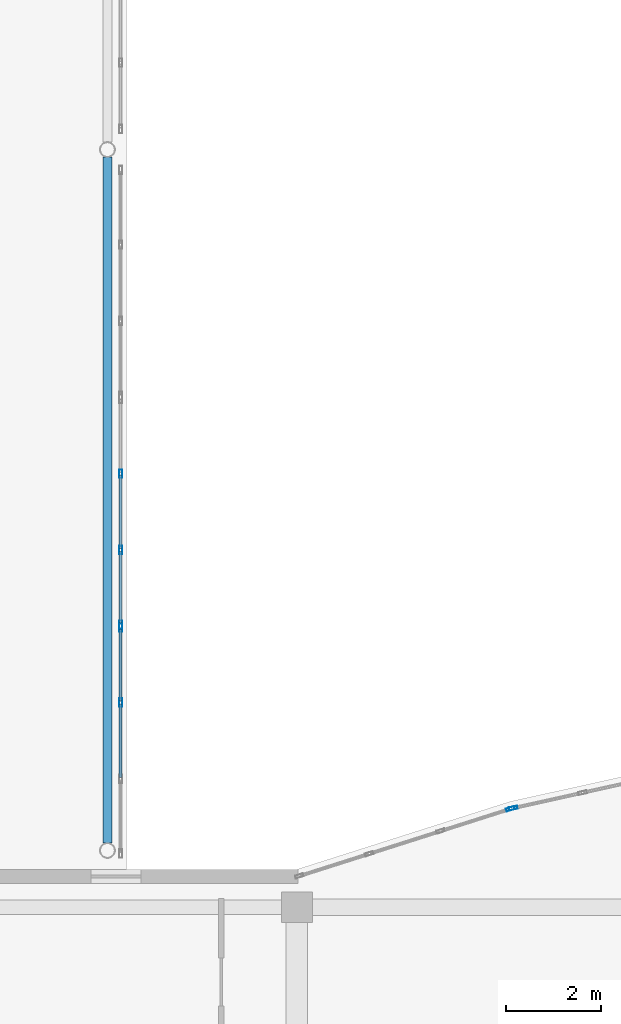
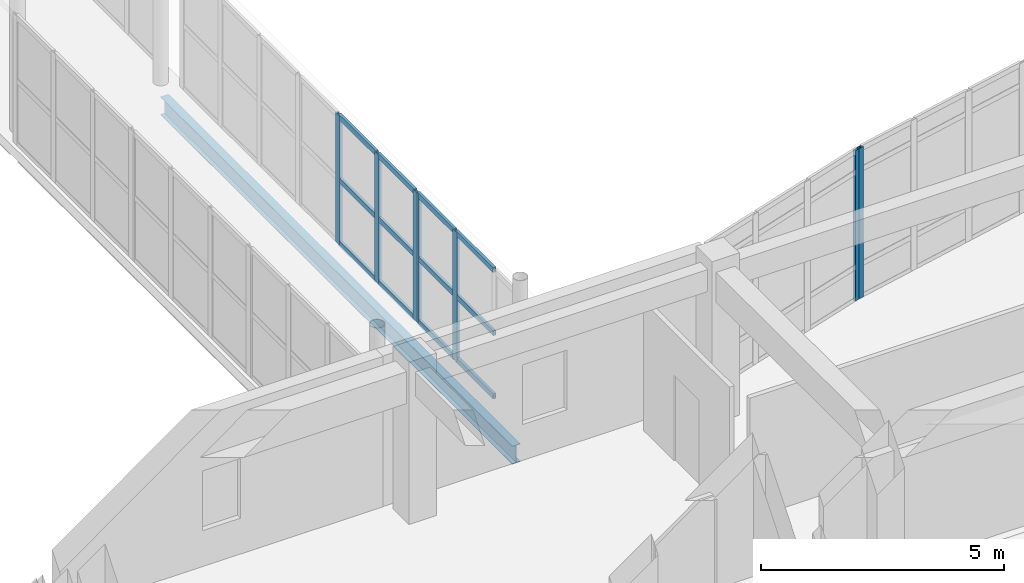
# One storey, part 53 of 146: 19 members, 1 beam, 4 elements without a shape of their own.
"""IFC4 building model written with IfcOpenShell, lengths in metres."""

from ifc_helpers import new_model, si_unit, direction, frame, origin, origin_2d, place, context, subcontext, project, spatial, hollow_rectangle, i_section, extrude, material, layer, layer_set, material_profile, profile_set, type_object, element, aggregate, save


model = new_model("IFC4")

# Units and contexts
model_context = context("Model", 3, precision=1e-05, world=origin(), true_north=direction((0.0, 1.0)))
body_context = subcontext(model_context, "Body", "Model", "MODEL_VIEW")
ifc_project = project(units=[si_unit("LENGTHUNIT", "METRE"), si_unit("AREAUNIT", "SQUARE_METRE"), si_unit("VOLUMEUNIT", "CUBIC_METRE"), si_unit("PLANEANGLEUNIT", "RADIAN"), si_unit("MASSUNIT", "GRAM", prefix="KILO")], contexts=[model_context])

# Site, building, storey
site_placement = place(None, origin())
site = spatial("IfcSite", under=ifc_project, at=site_placement, CompositionType="ELEMENT")
building_placement = place(site_placement, origin())
building = spatial("IfcBuilding", under=site, at=building_placement, Name="Valcora Specialist Clinic", CompositionType="ELEMENT")
storey_placement = place(building_placement, frame((0.0, 0.0, 9.52001953125)))
storey = spatial("IfcBuildingStorey", under=building, at=storey_placement, Name="L02", CompositionType="ELEMENT", Elevation=9.52001953125)

# Beam
ifc_material_1 = material(Name="Steel ASTM A992 Grade 50", Category="steel")
ifc_material_profile_1 = material_profile(ifc_material_1, i_section(OverallWidth=0.18994140625, OverallDepth=0.45703125, WebThickness=0.009033203125, FlangeThickness=0.014892578125, at=origin_2d()), Name="ST-IR-460X190")
ifc_profile_set_1 = profile_set([ifc_material_profile_1], Name="Steel ASTM A992 Grade 50")
beam_type = type_object("IfcBeamType", Name="TY-BG-IR460", PredefinedType="HOLLOWCORE", material=ifc_profile_set_1)
beam_placement = place(storey_placement, frame((65.0, 23.360107421875, -0.482421875), z_axis=(0.0, 1.0, 0.0), x_axis=(-1.0, 0.0, 0.0)))
element("IfcBeam", 1, at=beam_placement, inside=storey, type_object=beam_type, Name="Bridge girder BM-L02-1627", PredefinedType="HOLLOWCORE", context=body_context, shape_type="SweptSolid", body=[
    extrude(i_section(OverallWidth=0.18994140625, OverallDepth=0.45703125, WebThickness=0.009033203125, FlangeThickness=0.014892578125, at=origin_2d()), origin(), (0.0, 0.0, 1.0), 14.47998046875),
])

# Curtain wall, member
ifc_material_2 = material(Name="Anodized Bronze Aluminium 6063-T6", Category="aluminium")
ifc_layer_1 = layer(ifc_material_2, 0.175048828125)
ifc_layer_set_1 = layer_set([ifc_layer_1], Name="Anodized Bronze Aluminium 6063-T6")
curtain_wall_type_1 = type_object("IfcCurtainWallType", Name="TY-CW-ARC40", PredefinedType="NOTDEFINED", material=ifc_layer_set_1)
curtain_wall_1_placement = place(storey_placement, origin())
curtain_wall_1 = element("IfcCurtainWall", 2, at=curtain_wall_1_placement, inside=storey, type_object=curtain_wall_type_1, Name="Curtain wall CW-L02-202", PredefinedType="NOTDEFINED")
ifc_material_profile_2 = material_profile(ifc_material_2, hollow_rectangle(XDim=0.06494140625, YDim=0.175048828125, WallThickness=0.00390625, at=origin_2d()), Name="AL-MUL-65X175")
ifc_profile_set_2 = profile_set([ifc_material_profile_2], Name="Anodized Bronze Aluminium 6063-T6")
member_type_1 = type_object("IfcMemberType", Name="TY-CWM-65X175", PredefinedType="MULLION", material=ifc_profile_set_2)
member_1_placement = place(storey_placement, frame((73.508056640625, 24.0771484375, 0.0), z_axis=(0.0, 0.0, 1.0), x_axis=(-0.303233270958, 0.952916356972, 0.0)))
member_1 = element("IfcMember", 3, at=member_1_placement, type_object=member_type_1, Name="CW-ARC-40 mullion 4", PredefinedType="MULLION", context=body_context, shape_type="SweptSolid", body=[
    extrude(hollow_rectangle(XDim=0.06494140625, YDim=0.175048828125, WallThickness=0.00390625, at=origin_2d()), origin(), (0.0, 0.0, 1.0), 3.780029296875),
])
aggregate(curtain_wall_1, [member_1])

curtain_wall_2_placement = place(storey_placement, origin())
curtain_wall_2 = element("IfcCurtainWall", 4, at=curtain_wall_2_placement, inside=storey, type_object=curtain_wall_type_1, Name="Curtain wall CW-L02-203", PredefinedType="NOTDEFINED")
member_2_placement = place(storey_placement, frame((73.57080078125, 24.093994140625, 0.0), z_axis=(0.0, 0.0, 1.0), x_axis=(-0.216518052372, 0.976278614432, 0.0)))
member_2 = element("IfcMember", 5, at=member_2_placement, type_object=member_type_1, Name="CW-ARC-40 mullion 1", PredefinedType="MULLION", context=body_context, shape_type="SweptSolid", body=[
    extrude(hollow_rectangle(XDim=0.06494140625, YDim=0.175048828125, WallThickness=0.00390625, at=origin_2d()), origin(), (0.0, 0.0, 1.0), 3.780029296875),
])
aggregate(curtain_wall_2, [member_2])

# Curtain wall, members
ifc_layer_2 = layer(ifc_material_2, 0.175048828125)
ifc_layer_set_2 = layer_set([ifc_layer_2], Name="Anodized Bronze Aluminium 6063-T6")
curtain_wall_type_2 = type_object("IfcCurtainWallType", Name="TY-CW-BRG14", PredefinedType="NOTDEFINED", material=ifc_layer_set_2)
curtain_wall_3_placement = place(storey_placement, origin())
curtain_wall_3 = element("IfcCurtainWall", 6, at=curtain_wall_3_placement, inside=storey, type_object=curtain_wall_type_2, Name="Curtain wall CW-L02-258", PredefinedType="NOTDEFINED")
member_3_placement = place(storey_placement, frame((65.280029296875, 26.322265625, 0.0), z_axis=(0.0, 0.0, 1.0), x_axis=(-1.0, 0.0, 0.0)))
member_3 = element("IfcMember", 7, at=member_3_placement, type_object=member_type_1, Name="CW-BRG-14 mullion 3", PredefinedType="MULLION", context=body_context, shape_type="SweptSolid", body=[
    extrude(hollow_rectangle(XDim=0.06494140625, YDim=0.175048828125, WallThickness=0.00390625, at=origin_2d()), origin(), (0.0, 0.0, 1.0), 3.239990234375),
])
member_4_placement = place(storey_placement, frame((65.280029296875, 27.90087890625, 0.0), z_axis=(0.0, 0.0, 1.0), x_axis=(-1.0, 0.0, 0.0)))
member_4 = element("IfcMember", 8, at=member_4_placement, type_object=member_type_1, Name="CW-BRG-14 mullion 4", PredefinedType="MULLION", context=body_context, shape_type="SweptSolid", body=[
    extrude(hollow_rectangle(XDim=0.06494140625, YDim=0.175048828125, WallThickness=0.00390625, at=origin_2d()), origin(), (0.0, 0.0, 1.0), 3.239990234375),
])

curtain_wall_4_placement = place(storey_placement, origin())
curtain_wall_4 = element("IfcCurtainWall", 9, at=curtain_wall_4_placement, inside=storey, type_object=curtain_wall_type_2, Name="Curtain wall CW-L02-259", PredefinedType="NOTDEFINED")
member_5_placement = place(storey_placement, frame((65.280029296875, 27.9658203125, 0.0), z_axis=(0.0, 0.0, 1.0), x_axis=(-1.0, 0.0, 0.0)))
member_5 = element("IfcMember", 10, at=member_5_placement, type_object=member_type_1, Name="CW-BRG-14 mullion 1", PredefinedType="MULLION", context=body_context, shape_type="SweptSolid", body=[
    extrude(hollow_rectangle(XDim=0.06494140625, YDim=0.175048828125, WallThickness=0.00390625, at=origin_2d()), origin(), (0.0, 0.0, 1.0), 3.239990234375),
])
member_6_placement = place(storey_placement, frame((65.280029296875, 29.54443359375, 0.0), z_axis=(0.0, 0.0, 1.0), x_axis=(-1.0, 0.0, 0.0)))
member_6 = element("IfcMember", 11, at=member_6_placement, type_object=member_type_1, Name="CW-BRG-14 mullion 2", PredefinedType="MULLION", context=body_context, shape_type="SweptSolid", body=[
    extrude(hollow_rectangle(XDim=0.06494140625, YDim=0.175048828125, WallThickness=0.00390625, at=origin_2d()), origin(), (0.0, 0.0, 1.0), 3.239990234375),
])
member_7_placement = place(storey_placement, frame((65.280029296875, 31.155517578125, 0.0), z_axis=(0.0, 0.0, 1.0), x_axis=(-1.0, 0.0, 0.0)))
member_7 = element("IfcMember", 12, at=member_7_placement, type_object=member_type_1, Name="CW-BRG-14 mullion 3", PredefinedType="MULLION", context=body_context, shape_type="SweptSolid", body=[
    extrude(hollow_rectangle(XDim=0.06494140625, YDim=0.175048828125, WallThickness=0.00390625, at=origin_2d()), origin(), (0.0, 0.0, 1.0), 3.239990234375),
])

# Member
ifc_material_profile_3 = material_profile(ifc_material_2, hollow_rectangle(XDim=0.06494140625, YDim=0.1298828125, WallThickness=0.00390625, at=origin_2d()), Name="AL-TRN-65X130")
ifc_profile_set_3 = profile_set([ifc_material_profile_3], Name="Anodized Bronze Aluminium 6063-T6")
member_type_2 = type_object("IfcMemberType", Name="TY-CWT-65X130", PredefinedType="USERDEFINED", material=ifc_profile_set_3)
member_8_placement = place(storey_placement, frame((65.280029296875, 24.74365234375, 0.032470703125), z_axis=(0.0, 1.0, 0.0), x_axis=(-1.0, 0.0, 0.0)))
member_8 = element("IfcMember", 13, at=member_8_placement, type_object=member_type_2, Name="CW-BRG-14 transom 2.1", ObjectType="TRANSOM", PredefinedType="USERDEFINED", context=body_context, shape_type="SweptSolid", body=[
    extrude(hollow_rectangle(XDim=0.06494140625, YDim=0.1298828125, WallThickness=0.00390625, at=origin_2d()), origin(), (0.0, 0.0, 1.0), 1.546142578125),
])

member_9_placement = place(storey_placement, frame((65.280029296875, 24.74365234375, 1.619873046875), z_axis=(0.0, 1.0, 0.0), x_axis=(-1.0, 0.0, 0.0)))
member_9 = element("IfcMember", 14, at=member_9_placement, type_object=member_type_2, Name="CW-BRG-14 transom 2.2", ObjectType="TRANSOM", PredefinedType="USERDEFINED", context=body_context, shape_type="SweptSolid", body=[
    extrude(hollow_rectangle(XDim=0.06494140625, YDim=0.1298828125, WallThickness=0.00390625, at=origin_2d()), origin(), (0.0, 0.0, 1.0), 1.546142578125),
])

member_10_placement = place(storey_placement, frame((65.280029296875, 24.74365234375, 3.20751953125), z_axis=(0.0, 1.0, 0.0), x_axis=(-1.0, 0.0, 0.0)))
member_10 = element("IfcMember", 15, at=member_10_placement, type_object=member_type_2, Name="CW-BRG-14 transom 2.3", ObjectType="TRANSOM", PredefinedType="USERDEFINED", context=body_context, shape_type="SweptSolid", body=[
    extrude(hollow_rectangle(XDim=0.06494140625, YDim=0.1298828125, WallThickness=0.00390625, at=origin_2d()), origin(), (0.0, 0.0, 1.0), 1.546142578125),
])

member_11_placement = place(storey_placement, frame((65.280029296875, 26.354736328125, 0.032470703125), z_axis=(0.0, 1.0, 0.0), x_axis=(-1.0, 0.0, 0.0)))
member_11 = element("IfcMember", 16, at=member_11_placement, type_object=member_type_2, Name="CW-BRG-14 transom 3.1", ObjectType="TRANSOM", PredefinedType="USERDEFINED", context=body_context, shape_type="SweptSolid", body=[
    extrude(hollow_rectangle(XDim=0.06494140625, YDim=0.1298828125, WallThickness=0.00390625, at=origin_2d()), origin(), (0.0, 0.0, 1.0), 1.513671875),
])

member_12_placement = place(storey_placement, frame((65.280029296875, 26.354736328125, 1.619873046875), z_axis=(0.0, 1.0, 0.0), x_axis=(-1.0, 0.0, 0.0)))
member_12 = element("IfcMember", 17, at=member_12_placement, type_object=member_type_2, Name="CW-BRG-14 transom 3.2", ObjectType="TRANSOM", PredefinedType="USERDEFINED", context=body_context, shape_type="SweptSolid", body=[
    extrude(hollow_rectangle(XDim=0.06494140625, YDim=0.1298828125, WallThickness=0.00390625, at=origin_2d()), origin(), (0.0, 0.0, 1.0), 1.513671875),
])

member_13_placement = place(storey_placement, frame((65.280029296875, 26.354736328125, 3.20751953125), z_axis=(0.0, 1.0, 0.0), x_axis=(-1.0, 0.0, 0.0)))
member_13 = element("IfcMember", 18, at=member_13_placement, type_object=member_type_2, Name="CW-BRG-14 transom 3.3", ObjectType="TRANSOM", PredefinedType="USERDEFINED", context=body_context, shape_type="SweptSolid", body=[
    extrude(hollow_rectangle(XDim=0.06494140625, YDim=0.1298828125, WallThickness=0.00390625, at=origin_2d()), origin(), (0.0, 0.0, 1.0), 1.513671875),
])

aggregate(curtain_wall_3, [member_3, member_4, member_8, member_9, member_10, member_11, member_12, member_13])

member_14_placement = place(storey_placement, frame((65.280029296875, 27.998291015625, 0.032470703125), z_axis=(0.0, 1.0, 0.0), x_axis=(-1.0, 0.0, 0.0)))
member_14 = element("IfcMember", 19, at=member_14_placement, type_object=member_type_2, Name="CW-BRG-14 transom 1.1", ObjectType="TRANSOM", PredefinedType="USERDEFINED", context=body_context, shape_type="SweptSolid", body=[
    extrude(hollow_rectangle(XDim=0.06494140625, YDim=0.1298828125, WallThickness=0.00390625, at=origin_2d()), origin(), (0.0, 0.0, 1.0), 1.513671875),
])

member_15_placement = place(storey_placement, frame((65.280029296875, 27.998291015625, 1.619873046875), z_axis=(0.0, 1.0, 0.0), x_axis=(-1.0, 0.0, 0.0)))
member_15 = element("IfcMember", 20, at=member_15_placement, type_object=member_type_2, Name="CW-BRG-14 transom 1.2", ObjectType="TRANSOM", PredefinedType="USERDEFINED", context=body_context, shape_type="SweptSolid", body=[
    extrude(hollow_rectangle(XDim=0.06494140625, YDim=0.1298828125, WallThickness=0.00390625, at=origin_2d()), origin(), (0.0, 0.0, 1.0), 1.513671875),
])

member_16_placement = place(storey_placement, frame((65.280029296875, 27.998291015625, 3.20751953125), z_axis=(0.0, 1.0, 0.0), x_axis=(-1.0, 0.0, 0.0)))
member_16 = element("IfcMember", 21, at=member_16_placement, type_object=member_type_2, Name="CW-BRG-14 transom 1.3", ObjectType="TRANSOM", PredefinedType="USERDEFINED", context=body_context, shape_type="SweptSolid", body=[
    extrude(hollow_rectangle(XDim=0.06494140625, YDim=0.1298828125, WallThickness=0.00390625, at=origin_2d()), origin(), (0.0, 0.0, 1.0), 1.513671875),
])

member_17_placement = place(storey_placement, frame((65.280029296875, 29.576904296875, 0.032470703125), z_axis=(0.0, 1.0, 0.0), x_axis=(-1.0, 0.0, 0.0)))
member_17 = element("IfcMember", 22, at=member_17_placement, type_object=member_type_2, Name="CW-BRG-14 transom 2.1", ObjectType="TRANSOM", PredefinedType="USERDEFINED", context=body_context, shape_type="SweptSolid", body=[
    extrude(hollow_rectangle(XDim=0.06494140625, YDim=0.1298828125, WallThickness=0.00390625, at=origin_2d()), origin(), (0.0, 0.0, 1.0), 1.546142578125),
])

member_18_placement = place(storey_placement, frame((65.280029296875, 29.576904296875, 1.619873046875), z_axis=(0.0, 1.0, 0.0), x_axis=(-1.0, 0.0, 0.0)))
member_18 = element("IfcMember", 23, at=member_18_placement, type_object=member_type_2, Name="CW-BRG-14 transom 2.2", ObjectType="TRANSOM", PredefinedType="USERDEFINED", context=body_context, shape_type="SweptSolid", body=[
    extrude(hollow_rectangle(XDim=0.06494140625, YDim=0.1298828125, WallThickness=0.00390625, at=origin_2d()), origin(), (0.0, 0.0, 1.0), 1.546142578125),
])

member_19_placement = place(storey_placement, frame((65.280029296875, 29.576904296875, 3.20751953125), z_axis=(0.0, 1.0, 0.0), x_axis=(-1.0, 0.0, 0.0)))
member_19 = element("IfcMember", 24, at=member_19_placement, type_object=member_type_2, Name="CW-BRG-14 transom 2.3", ObjectType="TRANSOM", PredefinedType="USERDEFINED", context=body_context, shape_type="SweptSolid", body=[
    extrude(hollow_rectangle(XDim=0.06494140625, YDim=0.1298828125, WallThickness=0.00390625, at=origin_2d()), origin(), (0.0, 0.0, 1.0), 1.546142578125),
])

aggregate(curtain_wall_4, [member_5, member_6, member_7, member_14, member_15, member_16, member_17, member_18, member_19])

save(model, "model.ifc")
